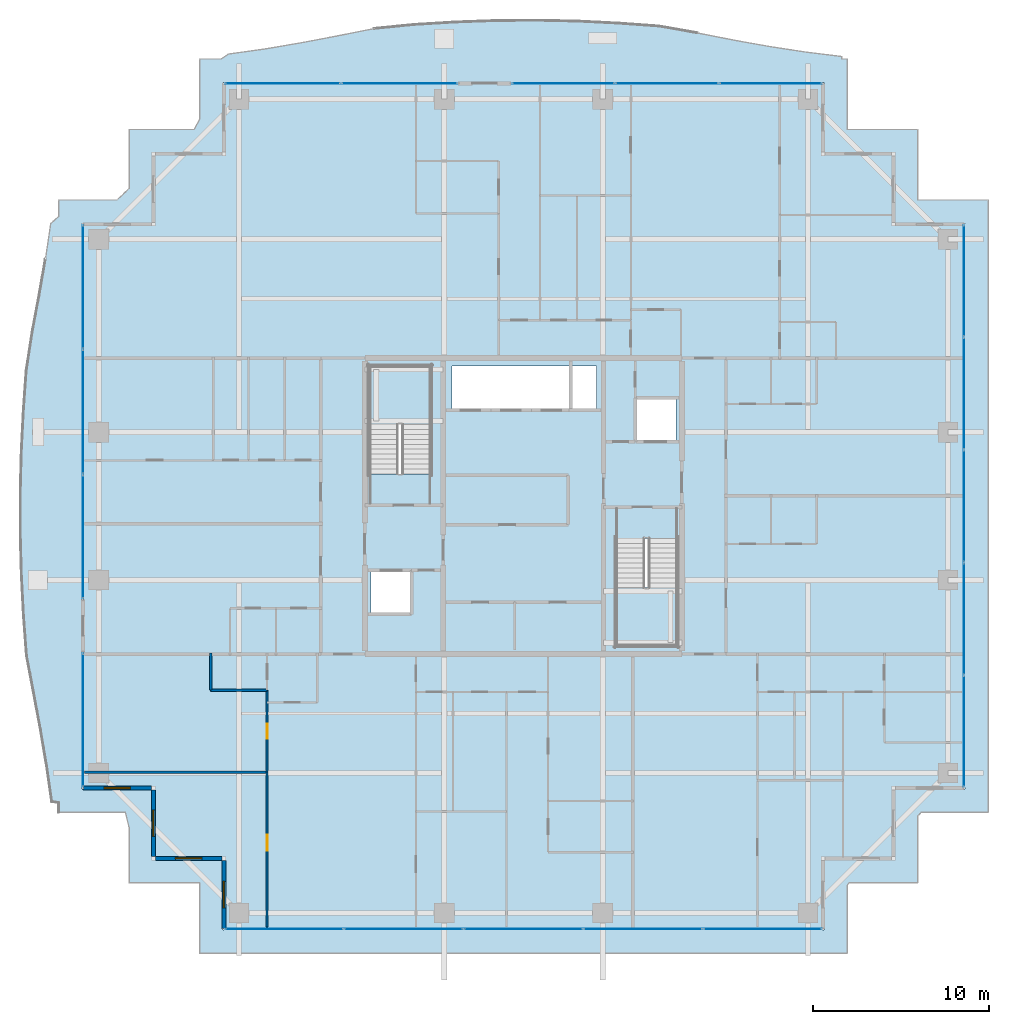
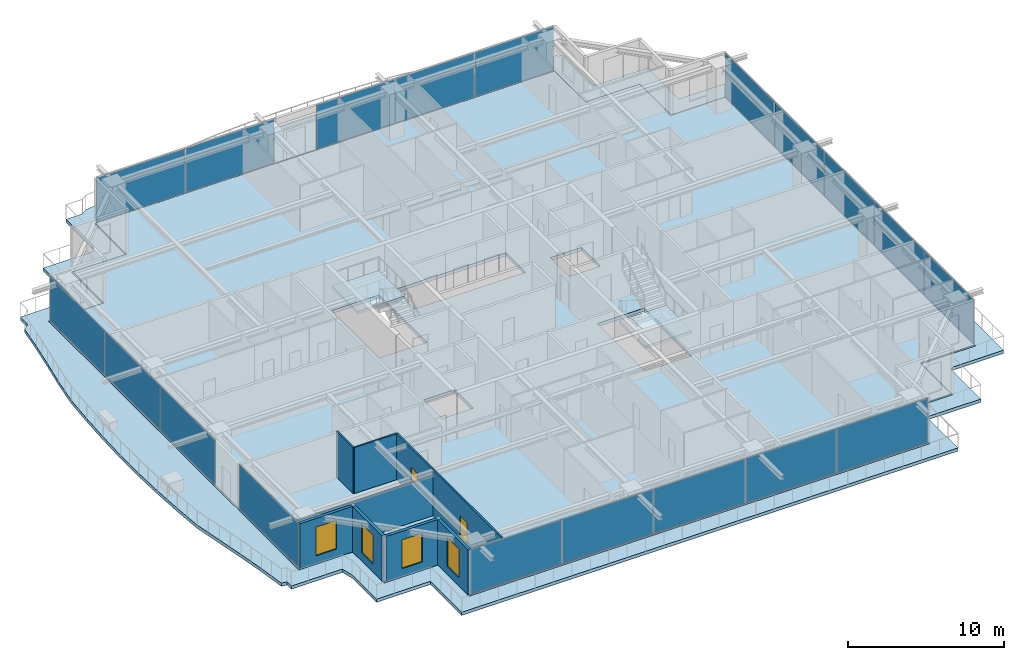
# One storey, part 26 of 38: 19 plates, 9 walls, 4 slabs, 4 windows, 2 doors, 6 openings, 8 elements without a shape of their own.
"""IFC4 building model written with IfcOpenShell, lengths in metres."""

from ifc_helpers import new_model, si_unit, direction, frame, frame_2d, origin, origin_2d, place, context, subcontext, project, spatial, polyline, rectangle, outline, extrude, source, transform, mapped, material, layer, layer_set, type_object, element, fill, aggregate, save


model = new_model("IFC4")

# Units and contexts
model_context = context("Model", 3, precision=1e-05, world=origin(), true_north=direction((0.0, 1.0)))
body_context = subcontext(model_context, "Body", "Model", "MODEL_VIEW")
ifc_project = project(units=[si_unit("LENGTHUNIT", "METRE"), si_unit("AREAUNIT", "SQUARE_METRE"), si_unit("VOLUMEUNIT", "CUBIC_METRE"), si_unit("PLANEANGLEUNIT", "RADIAN"), si_unit("MASSUNIT", "GRAM", prefix="KILO")], contexts=[model_context])

# Site, building, storey
site_placement = place(None, origin())
site = spatial("IfcSite", under=ifc_project, at=site_placement, CompositionType="ELEMENT")
building_placement = place(site_placement, origin())
building = spatial("IfcBuilding", under=site, at=building_placement, Name="Serunith Strait Residences", CompositionType="ELEMENT")
storey_placement = place(building_placement, frame((0.0, 0.0, 268.199951171875)))
storey = spatial("IfcBuildingStorey", under=building, at=storey_placement, Name="L67", CompositionType="ELEMENT", Elevation=268.199951171875)

# Slab
ifc_material_1 = material(Name="Concrete C50/60", Category="concrete")
ifc_layer_1 = layer(ifc_material_1, 0.239990234375, Name="Concrete C50/60")
ifc_layer_set_1 = layer_set([ifc_layer_1], Name="Concrete C50/60")
slab_type_1 = type_object("IfcSlabType", Name="SLB-BALC-240", PredefinedType="FLOOR", material=ifc_layer_set_1)
slab_1_placement = place(storey_placement, frame((0.0, 0.0, -0.2900390625)))
element("IfcSlab", 1, at=slab_1_placement, inside=storey, type_object=slab_type_1, Name="L67 Planted Vertical-Forest Balcony Slab", PredefinedType="FLOOR", context=body_context, shape_type="SweptSolid", body=[
    extrude(outline(polyline([(6.02001953125, 7.820068359375), (6.02001953125, 8.36181640625), (5.633544921875, 8.426513671875), (5.341552734375, 10.453125), (4.994873046875, 12.502197265625), (4.605224609375, 14.591796875), (4.19921875, 16.73974609375), (4.03125, 19.006103515625), (3.91259765625, 21.306640625), (3.849609375, 23.629638671875), (3.847900390625, 25.96142578125), (3.90771484375, 28.28662109375), (4.022216796875, 30.591796875), (4.18115234375, 32.8662109375), (4.51416015625, 35.052978515625), (4.90966796875, 37.158203125), (5.26708984375, 39.21875), (5.57177734375, 41.252197265625), (6.02001953125, 41.63134765625), (6.02001953125, 42.580078125), (9.328125, 42.580078125), (10.02001953125, 43.22705078125), (10.02001953125, 46.580078125), (13.70654296875, 46.580078125), (14.02001953125, 47.147216796875), (14.02001953125, 50.580078125), (15.245849609375, 50.580078125), (15.649169921875, 50.861083984375), (17.671630859375, 51.143310546875), (19.712890625, 51.48681640625), (21.791748046875, 51.8828125), (23.928955078125, 52.307373046875), (26.184326171875, 52.529541015625), (28.4892578125, 52.67041015625), (30.8212890625, 52.75439453125), (33.166015625, 52.77197265625), (35.505615234375, 52.72119140625), (37.82421875, 52.607177734375), (40.109130859375, 52.44189453125), (42.28515625, 52.057861328125), (44.383056640625, 51.6455078125), (46.435302734375, 51.2783203125), (48.4619140625, 50.970458984375), (50.478759765625, 50.722900390625), (50.4775390625, 50.580078125), (50.780029296875, 50.580078125), (50.780029296875, 46.580078125), (54.780029296875, 46.580078125), (54.780029296875, 42.580078125), (58.780029296875, 42.580078125), (58.780029296875, 7.820068359375), (54.97509765625, 7.820068359375), (54.780029296875, 7.597900390625), (54.780029296875, 3.820068359375), (50.881103515625, 3.820068359375), (50.780029296875, 3.665283203125), (50.780029296875, -0.179931640625), (14.02001953125, -0.179931640625), (14.02001953125, 3.820068359375), (10.02001953125, 3.820068359375), (10.02001953125, 6.94970703125), (9.805419921875, 7.820068359375), (6.02001953125, 7.820068359375)]), holes=[polyline([(49.455078125, 1.14501953125), (49.455078125, 5.14501953125), (53.455078125, 5.14501953125), (53.455078125, 9.14501953125), (57.455078125, 9.14501953125), (57.455078125, 41.2548828125), (53.455078125, 41.2548828125), (53.455078125, 45.2548828125), (49.455078125, 45.2548828125), (49.455078125, 49.2548828125), (15.344970703125, 49.2548828125), (15.344970703125, 45.2548828125), (11.344970703125, 45.2548828125), (11.344970703125, 41.2548828125), (7.344970703125, 41.2548828125), (7.344970703125, 9.14501953125), (11.344970703125, 9.14501953125), (11.344970703125, 5.14501953125), (15.344970703125, 5.14501953125), (15.344970703125, 1.14501953125), (49.455078125, 1.14501953125)])]), origin(), (0.0, 0.0, 1.0), 0.239990234375),
])

# Stair, slab
stair_type_1 = type_object("IfcStairType", Name="STR-CORE-1", PredefinedType="HALF_TURN_STAIR", material=ifc_material_1)
stair_1_placement = place(storey_placement, origin())
stair_1 = element("IfcStair", 2, at=stair_1_placement, inside=storey, type_object=stair_type_1, Name="L67 Protected Escape Stair ST-1", PredefinedType="HALF_TURN_STAIR")
ifc_layer_2 = layer(ifc_material_1, 0.199951171875, Name="Concrete C50/60")
ifc_layer_set_2 = layer_set([ifc_layer_2], Name="Concrete C50/60")
slab_type_2 = type_object("IfcSlabType", Name="SLB-LAND-200", PredefinedType="LANDING", material=ifc_layer_set_2)
slab_2_placement = place(storey_placement, frame((0.0, 0.0, 1.72509765625)))
slab_2 = element("IfcSlab", 3, at=slab_2_placement, type_object=slab_type_2, Name="ST-1 landing 1", PredefinedType="LANDING", context=body_context, shape_type="SweptSolid", body=[
    extrude(outline(polyline([(27.14990234375, 29.830078125), (27.14990234375, 33.14990234375), (23.64990234375, 33.14990234375), (23.64990234375, 29.830078125), (27.14990234375, 29.830078125)])), origin(), (0.0, 0.0, 1.0), 0.199951171875),
])
aggregate(stair_1, [slab_2])

stair_type_2 = type_object("IfcStairType", Name="STR-CORE-2", PredefinedType="HALF_TURN_STAIR", material=ifc_material_1)
stair_2_placement = place(storey_placement, origin())
stair_2 = element("IfcStair", 4, at=stair_2_placement, inside=storey, type_object=stair_type_2, Name="L67 Protected Escape Stair ST-2", PredefinedType="HALF_TURN_STAIR")
slab_3_placement = place(storey_placement, frame((0.0, 0.0, 1.72509765625)))
slab_3 = element("IfcSlab", 5, at=slab_3_placement, type_object=slab_type_2, Name="ST-2 landing 1", PredefinedType="LANDING", context=body_context, shape_type="SweptSolid", body=[
    extrude(outline(polyline([(37.64990234375, 20.570068359375), (37.64990234375, 17.25), (41.14990234375, 17.25), (41.14990234375, 20.570068359375), (37.64990234375, 20.570068359375)])), origin(), (0.0, 0.0, 1.0), 0.199951171875),
])
aggregate(stair_2, [slab_3])

# Slab
ifc_material_2 = material(Name="Concrete C60/75", Category="concrete")
ifc_layer_3 = layer(ifc_material_2, 0.260009765625, Name="Concrete C60/75")
ifc_layer_set_3 = layer_set([ifc_layer_3], Name="Concrete C60/75")
slab_type_3 = type_object("IfcSlabType", Name="SLB-TWR-275-Z3", PredefinedType="FLOOR", material=ifc_layer_set_3)
slab_4_placement = place(storey_placement, frame((0.0, 0.0, -0.260009765625)))
element("IfcSlab", 6, at=slab_4_placement, inside=storey, type_object=slab_type_3, Name="L67 Structural Floor Plate", PredefinedType="FLOOR", context=body_context, shape_type="SweptSolid", body=[
    extrude(outline(polyline([(15.39990234375, 5.199951171875), (11.39990234375, 5.199951171875), (11.39990234375, 9.199951171875), (7.39990234375, 9.199951171875), (7.39990234375, 41.199951171875), (11.39990234375, 41.199951171875), (11.39990234375, 45.199951171875), (15.39990234375, 45.199951171875), (15.39990234375, 49.199951171875), (49.39990234375, 49.199951171875), (49.39990234375, 45.199951171875), (53.39990234375, 45.199951171875), (53.39990234375, 41.199951171875), (57.39990234375, 41.199951171875), (57.39990234375, 9.199951171875), (53.39990234375, 9.199951171875), (53.39990234375, 5.199951171875), (49.39990234375, 5.199951171875), (49.39990234375, 1.199951171875), (15.39990234375, 1.199951171875), (15.39990234375, 5.199951171875)]), holes=[polyline([(41.14990234375, 23.3701171875), (37.64990234375, 23.3701171875), (37.64990234375, 17.25), (41.14990234375, 17.25), (41.14990234375, 23.3701171875)]), polyline([(38.75, 31.25), (38.75, 28.85009765625), (41.050048828125, 28.85009765625), (41.050048828125, 31.25), (38.75, 31.25)]), polyline([(36.550048828125, 33.14990234375), (28.35009765625, 33.14990234375), (28.35009765625, 30.64990234375), (36.550048828125, 30.64990234375), (36.550048828125, 33.14990234375)]), polyline([(23.64990234375, 33.14990234375), (23.64990234375, 27.030029296875), (27.14990234375, 27.030029296875), (27.14990234375, 33.14990234375), (23.64990234375, 33.14990234375)]), polyline([(23.75, 21.550048828125), (23.75, 19.14990234375), (26.050048828125, 19.14990234375), (26.050048828125, 21.550048828125), (23.75, 21.550048828125)])]), origin(), (0.0, 0.0, 1.0), 0.260009765625),
])

# Curtain wall, plates
ifc_material_3 = material(Name="Pale-Champagne Anodised Aluminium", Category="aluminium")
ifc_layer_4 = layer(ifc_material_3, 0.199951171875, Name="Pale-Champagne Anodised Aluminium")
ifc_layer_set_4 = layer_set([ifc_layer_4], Name="Pale-Champagne Anodised Aluminium")
curtain_wall_type = type_object("IfcCurtainWallType", Name="CW-SYS4", PredefinedType="NOTDEFINED", material=ifc_layer_set_4)
curtain_wall_1_placement = place(storey_placement, origin())
curtain_wall_1 = element("IfcCurtainWall", 7, at=curtain_wall_1_placement, inside=storey, type_object=curtain_wall_type, Name="L67 E Unitised Fritted Curtain Wall", PredefinedType="NOTDEFINED")
ifc_material_4 = material(Name="Ceramic-Printed Solar-Control Glazing 28mm", Category="glass")
ifc_layer_5 = layer(ifc_material_4, 0.028076171875, Name="Ceramic-Printed Solar-Control Glazing 28mm")
ifc_layer_set_5 = layer_set([ifc_layer_5], Name="Ceramic-Printed Solar-Control Glazing 28mm")
plate_type = type_object("IfcPlateType", Name="CW-SYS4-PNL", PredefinedType="CURTAIN_PANEL", material=ifc_layer_set_5)
shared_shape_1 = source(origin(), body_context, "Body", "SweptSolid", [
    extrude(rectangle(XDim=6.302490234375, YDim=0.028076171875, at=origin_2d()), origin(), (0.0, 0.0, 1.0), 3.455078125),
])
plate_1_placement = place(storey_placement, frame((57.39990234375, 12.416259765625, 0.06005859375), z_axis=(0.0, 0.0, 1.0), x_axis=(0.0, 1.0, 0.0)))
plate_1 = element("IfcPlate", 8, at=plate_1_placement, type_object=plate_type, Name="CW-4 panel 1.1", PredefinedType="CURTAIN_PANEL", context=body_context, shape_type="MappedRepresentation", body=[
    mapped(shared_shape_1, transform((0.0, 0.0, 0.0), scale=1.0)),
])
plate_2_placement = place(storey_placement, frame((57.39990234375, 37.983642578125, 0.06005859375), z_axis=(0.0, 0.0, 1.0), x_axis=(0.0, 1.0, 0.0)))
plate_2 = element("IfcPlate", 9, at=plate_2_placement, type_object=plate_type, Name="CW-4 panel 5.1", PredefinedType="CURTAIN_PANEL", context=body_context, shape_type="MappedRepresentation", body=[
    mapped(shared_shape_1, transform((0.0, 0.0, 0.0), scale=1.0)),
])
shared_shape_2 = source(origin(), body_context, "Body", "SweptSolid", [
    extrude(rectangle(XDim=6.3349609375, YDim=0.028076171875, at=origin_2d()), origin(), (0.0, 0.0, 1.0), 3.455078125),
])
plate_3_placement = place(storey_placement, frame((57.39990234375, 18.800048828125, 0.06005859375), z_axis=(0.0, 0.0, 1.0), x_axis=(0.0, 1.0, 0.0)))
plate_3 = element("IfcPlate", 10, at=plate_3_placement, type_object=plate_type, Name="CW-4 panel 2.1", PredefinedType="CURTAIN_PANEL", context=body_context, shape_type="MappedRepresentation", body=[
    mapped(shared_shape_2, transform((0.0, 0.0, 0.0), scale=1.0)),
])
plate_4_placement = place(storey_placement, frame((57.39990234375, 25.199951171875, 0.06005859375), z_axis=(0.0, 0.0, 1.0), x_axis=(0.0, 1.0, 0.0)))
plate_4 = element("IfcPlate", 11, at=plate_4_placement, type_object=plate_type, Name="CW-4 panel 3.1", PredefinedType="CURTAIN_PANEL", context=body_context, shape_type="MappedRepresentation", body=[
    mapped(shared_shape_2, transform((0.0, 0.0, 0.0), scale=1.0)),
])
plate_5_placement = place(storey_placement, frame((57.39990234375, 31.60009765625, 0.06005859375), z_axis=(0.0, 0.0, 1.0), x_axis=(0.0, 1.0, 0.0)))
plate_5 = element("IfcPlate", 12, at=plate_5_placement, type_object=plate_type, Name="CW-4 panel 4.1", PredefinedType="CURTAIN_PANEL", context=body_context, shape_type="MappedRepresentation", body=[
    mapped(shared_shape_2, transform((0.0, 0.0, 0.0), scale=1.0)),
])
aggregate(curtain_wall_1, [plate_1, plate_3, plate_4, plate_5, plate_2])

curtain_wall_2_placement = place(storey_placement, origin())
curtain_wall_2 = element("IfcCurtainWall", 13, at=curtain_wall_2_placement, inside=storey, type_object=curtain_wall_type, Name="L67 S Unitised Fritted Curtain Wall", PredefinedType="NOTDEFINED")
shared_shape_3 = source(origin(), body_context, "Body", "SweptSolid", [
    extrude(rectangle(XDim=6.702392578125, YDim=0.028076171875, at=origin_2d()), origin(), (0.0, 0.0, 1.0), 3.455078125),
])
plate_6_placement = place(storey_placement, frame((18.816162109375, 1.199951171875, 0.06005859375), z_axis=(0.0, 0.0, 1.0), x_axis=(1.0, 0.0, 0.0)))
plate_6 = element("IfcPlate", 14, at=plate_6_placement, type_object=plate_type, Name="CW-4 panel 1.1", PredefinedType="CURTAIN_PANEL", context=body_context, shape_type="MappedRepresentation", body=[
    mapped(shared_shape_3, transform((0.0, 0.0, 0.0), scale=1.0)),
])
plate_7_placement = place(storey_placement, frame((45.983642578125, 1.199951171875, 0.06005859375), z_axis=(0.0, 0.0, 1.0), x_axis=(1.0, 0.0, 0.0)))
plate_7 = element("IfcPlate", 15, at=plate_7_placement, type_object=plate_type, Name="CW-4 panel 5.1", PredefinedType="CURTAIN_PANEL", context=body_context, shape_type="MappedRepresentation", body=[
    mapped(shared_shape_3, transform((0.0, 0.0, 0.0), scale=1.0)),
])
shared_shape_4 = source(origin(), body_context, "Body", "SweptSolid", [
    extrude(rectangle(XDim=6.735107421875, YDim=0.028076171875, at=origin_2d()), origin(), (0.0, 0.0, 1.0), 3.455078125),
])
plate_8_placement = place(storey_placement, frame((25.60009765625, 1.199951171875, 0.06005859375), z_axis=(0.0, 0.0, 1.0), x_axis=(1.0, 0.0, 0.0)))
plate_8 = element("IfcPlate", 16, at=plate_8_placement, type_object=plate_type, Name="CW-4 panel 2.1", PredefinedType="CURTAIN_PANEL", context=body_context, shape_type="MappedRepresentation", body=[
    mapped(shared_shape_4, transform((0.0, 0.0, 0.0), scale=1.0)),
])
plate_9_placement = place(storey_placement, frame((32.39990234375, 1.199951171875, 0.06005859375), z_axis=(0.0, 0.0, 1.0), x_axis=(1.0, 0.0, 0.0)))
plate_9 = element("IfcPlate", 17, at=plate_9_placement, type_object=plate_type, Name="CW-4 panel 3.1", PredefinedType="CURTAIN_PANEL", context=body_context, shape_type="MappedRepresentation", body=[
    mapped(shared_shape_4, transform((0.0, 0.0, 0.0), scale=1.0)),
])
plate_10_placement = place(storey_placement, frame((39.199951171875, 1.199951171875, 0.06005859375), z_axis=(0.0, 0.0, 1.0), x_axis=(1.0, 0.0, 0.0)))
plate_10 = element("IfcPlate", 18, at=plate_10_placement, type_object=plate_type, Name="CW-4 panel 4.1", PredefinedType="CURTAIN_PANEL", context=body_context, shape_type="MappedRepresentation", body=[
    mapped(shared_shape_4, transform((0.0, 0.0, 0.0), scale=1.0)),
])
aggregate(curtain_wall_2, [plate_6, plate_8, plate_9, plate_10, plate_7])

curtain_wall_3_placement = place(storey_placement, origin())
curtain_wall_3 = element("IfcCurtainWall", 19, at=curtain_wall_3_placement, inside=storey, type_object=curtain_wall_type, Name="L67 N Unitised Fritted Curtain Wall", PredefinedType="NOTDEFINED")
shared_shape_5 = source(origin(), body_context, "Body", "SweptSolid", [
    extrude(rectangle(XDim=6.552490234375, YDim=0.028076171875, at=origin_2d()), origin(), (0.0, 0.0, 1.0), 3.455078125),
])
plate_11_placement = place(storey_placement, frame((25.358642578125, 49.199951171875, 0.06005859375), z_axis=(0.0, 0.0, 1.0), x_axis=(-1.0, 0.0, 0.0)))
plate_11 = element("IfcPlate", 20, at=plate_11_placement, type_object=plate_type, Name="CW-4 panel 1.1", PredefinedType="CURTAIN_PANEL", context=body_context, shape_type="MappedRepresentation", body=[
    mapped(shared_shape_5, transform((0.0, 0.0, 0.0), scale=1.0)),
])
plate_12_placement = place(storey_placement, frame((18.7412109375, 49.199951171875, 0.06005859375), z_axis=(0.0, 0.0, 1.0), x_axis=(-1.0, 0.0, 0.0)))
plate_12 = element("IfcPlate", 21, at=plate_12_placement, type_object=plate_type, Name="CW-4 panel 2.1", PredefinedType="CURTAIN_PANEL", context=body_context, shape_type="MappedRepresentation", body=[
    mapped(shared_shape_5, transform((0.0, 0.0, 0.0), scale=1.0)),
])
aggregate(curtain_wall_3, [plate_11, plate_12])

curtain_wall_4_placement = place(storey_placement, origin())
curtain_wall_4 = element("IfcCurtainWall", 22, at=curtain_wall_4_placement, inside=storey, type_object=curtain_wall_type, Name="L67 N Unitised Fritted Curtain Wall", PredefinedType="NOTDEFINED")
shared_shape_6 = source(origin(), body_context, "Body", "SweptSolid", [
    extrude(rectangle(XDim=5.802490234375, YDim=0.028076171875, at=origin_2d()), origin(), (0.0, 0.0, 1.0), 3.455078125),
])
plate_13_placement = place(storey_placement, frame((46.433837890625, 49.199951171875, 0.06005859375), z_axis=(0.0, 0.0, 1.0), x_axis=(-1.0, 0.0, 0.0)))
plate_13 = element("IfcPlate", 23, at=plate_13_placement, type_object=plate_type, Name="CW-4 panel 1.1", PredefinedType="CURTAIN_PANEL", context=body_context, shape_type="MappedRepresentation", body=[
    mapped(shared_shape_6, transform((0.0, 0.0, 0.0), scale=1.0)),
])
plate_14_placement = place(storey_placement, frame((34.666259765625, 49.199951171875, 0.06005859375), z_axis=(0.0, 0.0, 1.0), x_axis=(-1.0, 0.0, 0.0)))
plate_14 = element("IfcPlate", 24, at=plate_14_placement, type_object=plate_type, Name="CW-4 panel 3.1", PredefinedType="CURTAIN_PANEL", context=body_context, shape_type="MappedRepresentation", body=[
    mapped(shared_shape_6, transform((0.0, 0.0, 0.0), scale=1.0)),
])
shared_shape_7 = source(origin(), body_context, "Body", "SweptSolid", [
    extrude(rectangle(XDim=5.8349609375, YDim=0.028076171875, at=origin_2d()), origin(), (0.0, 0.0, 1.0), 3.455078125),
])
plate_15_placement = place(storey_placement, frame((40.550048828125, 49.199951171875, 0.06005859375), z_axis=(0.0, 0.0, 1.0), x_axis=(-1.0, 0.0, 0.0)))
plate_15 = element("IfcPlate", 25, at=plate_15_placement, type_object=plate_type, Name="CW-4 panel 2.1", PredefinedType="CURTAIN_PANEL", context=body_context, shape_type="MappedRepresentation", body=[
    mapped(shared_shape_7, transform((0.0, 0.0, 0.0), scale=1.0)),
])
aggregate(curtain_wall_4, [plate_13, plate_15, plate_14])

curtain_wall_5_placement = place(storey_placement, origin())
curtain_wall_5 = element("IfcCurtainWall", 26, at=curtain_wall_5_placement, inside=storey, type_object=curtain_wall_type, Name="L67 W Unitised Fritted Curtain Wall", PredefinedType="NOTDEFINED")
shared_shape_8 = source(origin(), body_context, "Body", "SweptSolid", [
    extrude(rectangle(XDim=7.00244140625, YDim=0.028076171875, at=origin_2d()), origin(), (0.0, 0.0, 1.0), 3.455078125),
])
plate_16_placement = place(storey_placement, frame((7.39990234375, 37.6337890625, 0.06005859375), z_axis=(0.0, 0.0, 1.0), x_axis=(0.0, -1.0, 0.0)))
plate_16 = element("IfcPlate", 27, at=plate_16_placement, type_object=plate_type, Name="CW-4 panel 1.1", PredefinedType="CURTAIN_PANEL", context=body_context, shape_type="MappedRepresentation", body=[
    mapped(shared_shape_8, transform((0.0, 0.0, 0.0), scale=1.0)),
])
plate_17_placement = place(storey_placement, frame((7.39990234375, 23.46630859375, 0.06005859375), z_axis=(0.0, 0.0, 1.0), x_axis=(0.0, -1.0, 0.0)))
plate_17 = element("IfcPlate", 28, at=plate_17_placement, type_object=plate_type, Name="CW-4 panel 3.1", PredefinedType="CURTAIN_PANEL", context=body_context, shape_type="MappedRepresentation", body=[
    mapped(shared_shape_8, transform((0.0, 0.0, 0.0), scale=1.0)),
])
shared_shape_9 = source(origin(), body_context, "Body", "SweptSolid", [
    extrude(rectangle(XDim=7.034912109375, YDim=0.028076171875, at=origin_2d()), origin(), (0.0, 0.0, 1.0), 3.455078125),
])
plate_18_placement = place(storey_placement, frame((7.39990234375, 30.550048828125, 0.06005859375), z_axis=(0.0, 0.0, 1.0), x_axis=(0.0, -1.0, 0.0)))
plate_18 = element("IfcPlate", 29, at=plate_18_placement, type_object=plate_type, Name="CW-4 panel 2.1", PredefinedType="CURTAIN_PANEL", context=body_context, shape_type="MappedRepresentation", body=[
    mapped(shared_shape_9, transform((0.0, 0.0, 0.0), scale=1.0)),
])
aggregate(curtain_wall_5, [plate_16, plate_18, plate_17])

# Curtain wall, plate
curtain_wall_6_placement = place(storey_placement, origin())
curtain_wall_6 = element("IfcCurtainWall", 30, at=curtain_wall_6_placement, inside=storey, type_object=curtain_wall_type, Name="L67 W Unitised Fritted Curtain Wall", PredefinedType="NOTDEFINED")
shared_shape_10 = source(origin(), body_context, "Body", "SweptSolid", [
    extrude(rectangle(XDim=7.570068359375, YDim=0.028076171875, at=origin_2d()), origin(), (0.0, 0.0, 1.0), 3.455078125),
])
plate_19_placement = place(storey_placement, frame((7.39990234375, 13.050048828125, 0.06005859375), z_axis=(0.0, 0.0, 1.0), x_axis=(0.0, -1.0, 0.0)))
plate_19 = element("IfcPlate", 31, at=plate_19_placement, type_object=plate_type, Name="CW-4 panel 1.1", PredefinedType="CURTAIN_PANEL", context=body_context, shape_type="MappedRepresentation", body=[
    mapped(shared_shape_10, transform((0.0, 0.0, 0.0), scale=1.0)),
])
aggregate(curtain_wall_6, [plate_19])

# Wall, opening, window
ifc_material_5 = material(Name="Pale-Champagne Aluminium Insulated Panel", Category="aluminium")
ifc_layer_6 = layer(ifc_material_5, 0.219970703125, Name="Pale-Champagne Aluminium Insulated Panel")
ifc_layer_set_6 = layer_set([ifc_layer_6], Name="Pale-Champagne Aluminium Insulated Panel")
wall_type_1 = type_object("IfcWallType", Name="EW-ALUM-220", PredefinedType="ELEMENTEDWALL", material=ifc_layer_set_6)
wall_1_placement = place(storey_placement, frame((7.39990234375, 9.199951171875, 0.0), z_axis=(0.0, 0.0, 1.0), x_axis=(1.0, 0.0, 0.0)))
wall_1 = element("IfcWall", 32, at=wall_1_placement, inside=storey, type_object=wall_type_1, Name="L67 Girih Serrated Corner Wall 17", PredefinedType="ELEMENTEDWALL", context=body_context, shape_type="SweptSolid", body=[
    extrude(rectangle(XDim=3.89013671875, YDim=0.219970703125, at=frame_2d((1.945068359375, 0.0))), origin(), (0.0, 0.0, 1.0), 3.574951171875),
])
opening_1_placement = place(wall_1_placement, frame((1.195068359375, 0.0, 0.64990234375)))
opening_1 = element("IfcOpeningElement", 33, at=opening_1_placement, cuts=wall_1, Name="Opening W-05", PredefinedType="OPENING", context=body_context, shape_type="SweptSolid", body=[
    extrude(rectangle(XDim=1.5, YDim=2.25, at=frame_2d((0.75, 1.125))), frame((0.0, 0.1201171875, 0.0), z_axis=(0.0, -1.0, 0.0), x_axis=(1.0, 0.0, 0.0)), (0.0, 0.0, 1.0), 0.239990234375),
])
ifc_material_6 = material(Name="Ceramic-Fritted Operable Aluminium Window Glass", Category="aluminium")
window_type = type_object("IfcWindowType", Name="WIN-C5", PartitioningType="DOUBLE_PANEL_VERTICAL", PredefinedType="WINDOW", material=ifc_material_6)
shared_shape_11 = source(origin(), body_context, "Body", "SweptSolid", [
    extrude(rectangle(XDim=1.5, YDim=2.25, at=frame_2d((0.75, 1.125))), frame((0.0, 0.030029296875, 0.0), z_axis=(0.0, -1.0, 0.0), x_axis=(1.0, 0.0, 0.0)), (0.0, 0.0, 1.0), 0.06005859375),
])
window_1_placement = place(opening_1_placement, origin())
window_1 = element("IfcWindow", 34, at=window_1_placement, inside=storey, type_object=window_type, Name="L67 Corner Operable Fritted Window 17", OverallHeight=2.25, OverallWidth=1.5, PartitioningType="SINGLE_PANEL", PredefinedType="WINDOW", context=body_context, shape_type="MappedRepresentation", body=[
    mapped(shared_shape_11, transform((0.0, 0.0, 0.0), scale=1.0)),
])
fill(opening_1, window_1)

wall_2_placement = place(storey_placement, frame((11.39990234375, 9.090087890625, 0.0), z_axis=(0.0, 0.0, 1.0), x_axis=(0.0, -1.0, 0.0)))
wall_2 = element("IfcWall", 35, at=wall_2_placement, inside=storey, type_object=wall_type_1, Name="L67 Girih Serrated Corner Wall 18", PredefinedType="ELEMENTEDWALL", context=body_context, shape_type="SweptSolid", body=[
    extrude(rectangle(XDim=3.780029296875, YDim=0.219970703125, at=frame_2d((1.89013671875, 0.0))), origin(), (0.0, 0.0, 1.0), 3.574951171875),
])
opening_2_placement = place(wall_2_placement, frame((1.139892578125, 0.0, 0.64990234375)))
opening_2 = element("IfcOpeningElement", 36, at=opening_2_placement, cuts=wall_2, Name="Opening W-05", PredefinedType="OPENING", context=body_context, shape_type="SweptSolid", body=[
    extrude(rectangle(XDim=1.5, YDim=2.25, at=frame_2d((0.75, 1.125))), frame((0.0, 0.1201171875, 0.0), z_axis=(0.0, -1.0, 0.0), x_axis=(1.0, 0.0, 0.0)), (0.0, 0.0, 1.0), 0.239990234375),
])
window_2_placement = place(opening_2_placement, origin())
window_2 = element("IfcWindow", 37, at=window_2_placement, inside=storey, type_object=window_type, Name="L67 Corner Operable Fritted Window 18", OverallHeight=2.25, OverallWidth=1.5, PartitioningType="SINGLE_PANEL", PredefinedType="WINDOW", context=body_context, shape_type="MappedRepresentation", body=[
    mapped(shared_shape_11, transform((0.0, 0.0, 0.0), scale=1.0)),
])
fill(opening_2, window_2)

wall_3_placement = place(storey_placement, frame((11.510009765625, 5.199951171875, 0.0), z_axis=(0.0, 0.0, 1.0), x_axis=(1.0, 0.0, 0.0)))
wall_3 = element("IfcWall", 38, at=wall_3_placement, inside=storey, type_object=wall_type_1, Name="L67 Girih Serrated Corner Wall 19", PredefinedType="ELEMENTEDWALL", context=body_context, shape_type="SweptSolid", body=[
    extrude(rectangle(XDim=3.780029296875, YDim=0.219970703125, at=frame_2d((1.89013671875, 0.0))), origin(), (0.0, 0.0, 1.0), 3.574951171875),
])
opening_3_placement = place(wall_3_placement, frame((1.139892578125, 0.0, 0.64990234375)))
opening_3 = element("IfcOpeningElement", 39, at=opening_3_placement, cuts=wall_3, Name="Opening W-05", PredefinedType="OPENING", context=body_context, shape_type="SweptSolid", body=[
    extrude(rectangle(XDim=1.5, YDim=2.25, at=frame_2d((0.75, 1.125))), frame((0.0, 0.1201171875, 0.0), z_axis=(0.0, -1.0, 0.0), x_axis=(1.0, 0.0, 0.0)), (0.0, 0.0, 1.0), 0.239990234375),
])
window_3_placement = place(opening_3_placement, origin())
window_3 = element("IfcWindow", 40, at=window_3_placement, inside=storey, type_object=window_type, Name="L67 Corner Operable Fritted Window 19", OverallHeight=2.25, OverallWidth=1.5, PartitioningType="SINGLE_PANEL", PredefinedType="WINDOW", context=body_context, shape_type="MappedRepresentation", body=[
    mapped(shared_shape_11, transform((0.0, 0.0, 0.0), scale=1.0)),
])
fill(opening_3, window_3)

wall_4_placement = place(storey_placement, frame((15.39990234375, 5.090087890625, 0.0), z_axis=(0.0, 0.0, 1.0), x_axis=(0.0, -1.0, 0.0)))
wall_4 = element("IfcWall", 41, at=wall_4_placement, inside=storey, type_object=wall_type_1, Name="L67 Girih Serrated Corner Wall 20", PredefinedType="ELEMENTEDWALL", context=body_context, shape_type="SweptSolid", body=[
    extrude(rectangle(XDim=3.89013671875, YDim=0.219970703125, at=frame_2d((1.945068359375, 0.0))), origin(), (0.0, 0.0, 1.0), 3.574951171875),
])
opening_4_placement = place(wall_4_placement, frame((1.195068359375, 0.0, 0.64990234375)))
opening_4 = element("IfcOpeningElement", 42, at=opening_4_placement, cuts=wall_4, Name="Opening W-05", PredefinedType="OPENING", context=body_context, shape_type="SweptSolid", body=[
    extrude(rectangle(XDim=1.5, YDim=2.25, at=frame_2d((0.75, 1.125))), frame((0.0, 0.1201171875, 0.0), z_axis=(0.0, -1.0, 0.0), x_axis=(1.0, 0.0, 0.0)), (0.0, 0.0, 1.0), 0.239990234375),
])
window_4_placement = place(opening_4_placement, origin())
window_4 = element("IfcWindow", 43, at=window_4_placement, inside=storey, type_object=window_type, Name="L67 Corner Operable Fritted Window 20", OverallHeight=2.25, OverallWidth=1.5, PartitioningType="SINGLE_PANEL", PredefinedType="WINDOW", context=body_context, shape_type="MappedRepresentation", body=[
    mapped(shared_shape_11, transform((0.0, 0.0, 0.0), scale=1.0)),
])
fill(opening_4, window_4)

# Wall, opening, door
ifc_material_7 = material(Name="Lightweight steel-stud gypsum partition", Category="steel")
ifc_layer_7 = layer(ifc_material_7, 0.1201171875, Name="Lightweight steel-stud gypsum partition")
ifc_layer_set_7 = layer_set([ifc_layer_7], Name="Lightweight steel-stud gypsum partition")
wall_type_2 = type_object("IfcWallType", Name="IW-PART-120", PredefinedType="PARTITIONING", material=ifc_layer_set_7)
wall_5_placement = place(storey_placement, frame((17.85009765625, 1.294921875, 0.0), z_axis=(0.0, 0.0, 1.0), x_axis=(0.0, 1.0, 0.0)))
wall_5 = element("IfcWall", 44, at=wall_5_placement, inside=storey, type_object=wall_type_2, Name="L67 Partition Wall 033", PredefinedType="PARTITIONING", context=body_context, shape_type="SweptSolid", body=[
    extrude(rectangle(XDim=8.799072265625, YDim=0.1201171875, at=frame_2d((4.3994140625, 0.0))), origin(), (0.0, 0.0, 1.0), 3.590087890625),
])
opening_5_placement = place(wall_5_placement, frame((4.343994140625, 0.0, 0.0)))
opening_5 = element("IfcOpeningElement", 45, at=opening_5_placement, cuts=wall_5, Name="Opening D-RM900", PredefinedType="OPENING", context=body_context, shape_type="SweptSolid", body=[
    extrude(rectangle(XDim=0.89990234375, YDim=2.10009765625, at=frame_2d((0.449951171875, 1.050048828125))), frame((0.0, 0.070068359375, 0.0), z_axis=(0.0, -1.0, 0.0), x_axis=(1.0, 0.0, 0.0)), (0.0, 0.0, 1.0), 0.14013671875),
])
ifc_material_8 = material(Name="Engineered timber flush bedroom door", Category="wood")
door_type_1 = type_object("IfcDoorType", Name="ID-ROOM-900", OperationType="NOTDEFINED", PredefinedType="DOOR", material=ifc_material_8)
shared_shape_12 = source(origin(), body_context, "Body", "SweptSolid", [
    extrude(rectangle(XDim=0.89990234375, YDim=2.10009765625, at=frame_2d((0.449951171875, 1.050048828125))), frame((0.0, 0.02490234375, 0.0), z_axis=(0.0, -1.0, 0.0), x_axis=(1.0, 0.0, 0.0)), (0.0, 0.0, 1.0), 0.050048828125),
])
door_1_placement = place(opening_5_placement, origin())
door_1 = element("IfcDoor", 46, at=door_1_placement, inside=storey, type_object=door_type_1, Name="L67 Master Bedroom 1 6701 Door", OperationType="SINGLE_SWING_RIGHT", OverallHeight=2.10009765625, OverallWidth=0.89990234375, PredefinedType="DOOR", context=body_context, shape_type="MappedRepresentation", body=[
    mapped(shared_shape_12, transform((0.0, 0.0, 0.0), scale=1.0)),
])
fill(opening_5, door_1)

# Walls
wall_6_placement = place(storey_placement, frame((7.4951171875, 10.093994140625, 0.0), z_axis=(0.0, 0.0, 1.0), x_axis=(1.0, 0.0, 0.0)))
element("IfcWall", 47, at=wall_6_placement, inside=storey, type_object=wall_type_2, Name="L67 Partition Wall 034", PredefinedType="PARTITIONING", context=body_context, shape_type="SweptSolid", body=[
    extrude(rectangle(XDim=10.35498046875, YDim=0.1201171875, at=frame_2d((5.177490234375, 0.0))), origin(), (0.0, 0.0, 1.0), 3.1220703125),
])
wall_7_placement = place(storey_placement, frame((14.64990234375, 14.75, 0.0), z_axis=(0.0, 0.0, 1.0), x_axis=(1.0, 0.0, 0.0)))
element("IfcWall", 48, at=wall_7_placement, inside=storey, type_object=wall_type_2, Name="L67 Partition Wall 035", PredefinedType="PARTITIONING", context=body_context, shape_type="SweptSolid", body=[
    extrude(rectangle(XDim=3.2001953125, YDim=0.1201171875, at=frame_2d((1.60009765625, 0.0))), origin(), (0.0, 0.0, 1.0), 3.590087890625),
])
wall_8_placement = place(storey_placement, frame((14.64990234375, 14.75, 0.0), z_axis=(0.0, 0.0, 1.0), x_axis=(0.0, 1.0, 0.0)))
element("IfcWall", 49, at=wall_8_placement, inside=storey, type_object=wall_type_2, Name="L67 Partition Wall 036", PredefinedType="PARTITIONING", context=body_context, shape_type="SweptSolid", body=[
    extrude(rectangle(XDim=2.110107421875, YDim=0.1201171875, at=frame_2d((1.05517578125, 0.0))), origin(), (0.0, 0.0, 1.0), 3.590087890625),
])

# Wall, opening, door
wall_9_placement = place(storey_placement, frame((17.85009765625, 10.095947265625, 0.0), z_axis=(0.0, 0.0, 1.0), x_axis=(0.0, 1.0, 0.0)))
wall_9 = element("IfcWall", 50, at=wall_9_placement, inside=storey, type_object=wall_type_2, Name="L67 Partition Wall 037", PredefinedType="PARTITIONING", context=body_context, shape_type="SweptSolid", body=[
    extrude(rectangle(XDim=4.654052734375, YDim=0.1201171875, at=frame_2d((2.3271484375, 0.0))), origin(), (0.0, 0.0, 1.0), 3.590087890625),
])
opening_6_placement = place(wall_9_placement, frame((1.902099609375, 0.0, 0.0)))
opening_6 = element("IfcOpeningElement", 51, at=opening_6_placement, cuts=wall_9, Name="Opening D-RM850", PredefinedType="OPENING", context=body_context, shape_type="SweptSolid", body=[
    extrude(rectangle(XDim=0.85009765625, YDim=2.10009765625, at=frame_2d((0.425048828125, 1.050048828125))), frame((0.0, 0.070068359375, 0.0), z_axis=(0.0, -1.0, 0.0), x_axis=(1.0, 0.0, 0.0)), (0.0, 0.0, 1.0), 0.14013671875),
])
ifc_material_9 = material(Name="Engineered timber flush study and kitchen door", Category="wood")
door_type_2 = type_object("IfcDoorType", Name="ID-ROOM-850", OperationType="NOTDEFINED", PredefinedType="DOOR", material=ifc_material_9)
shared_shape_13 = source(origin(), body_context, "Body", "SweptSolid", [
    extrude(rectangle(XDim=0.85009765625, YDim=2.10009765625, at=frame_2d((0.425048828125, 1.050048828125))), frame((0.0, 0.02490234375, 0.0), z_axis=(0.0, -1.0, 0.0), x_axis=(1.0, 0.0, 0.0)), (0.0, 0.0, 1.0), 0.050048828125),
])
door_2_placement = place(opening_6_placement, origin())
door_2 = element("IfcDoor", 52, at=door_2_placement, inside=storey, type_object=door_type_2, Name="L67 Walk-in Wardrobe 6701 Door", OperationType="SINGLE_SWING_LEFT", OverallHeight=2.10009765625, OverallWidth=0.85009765625, PredefinedType="DOOR", context=body_context, shape_type="MappedRepresentation", body=[
    mapped(shared_shape_13, transform((0.0, 0.0, 0.0), scale=1.0)),
])
fill(opening_6, door_2)

save(model, "model.ifc")
